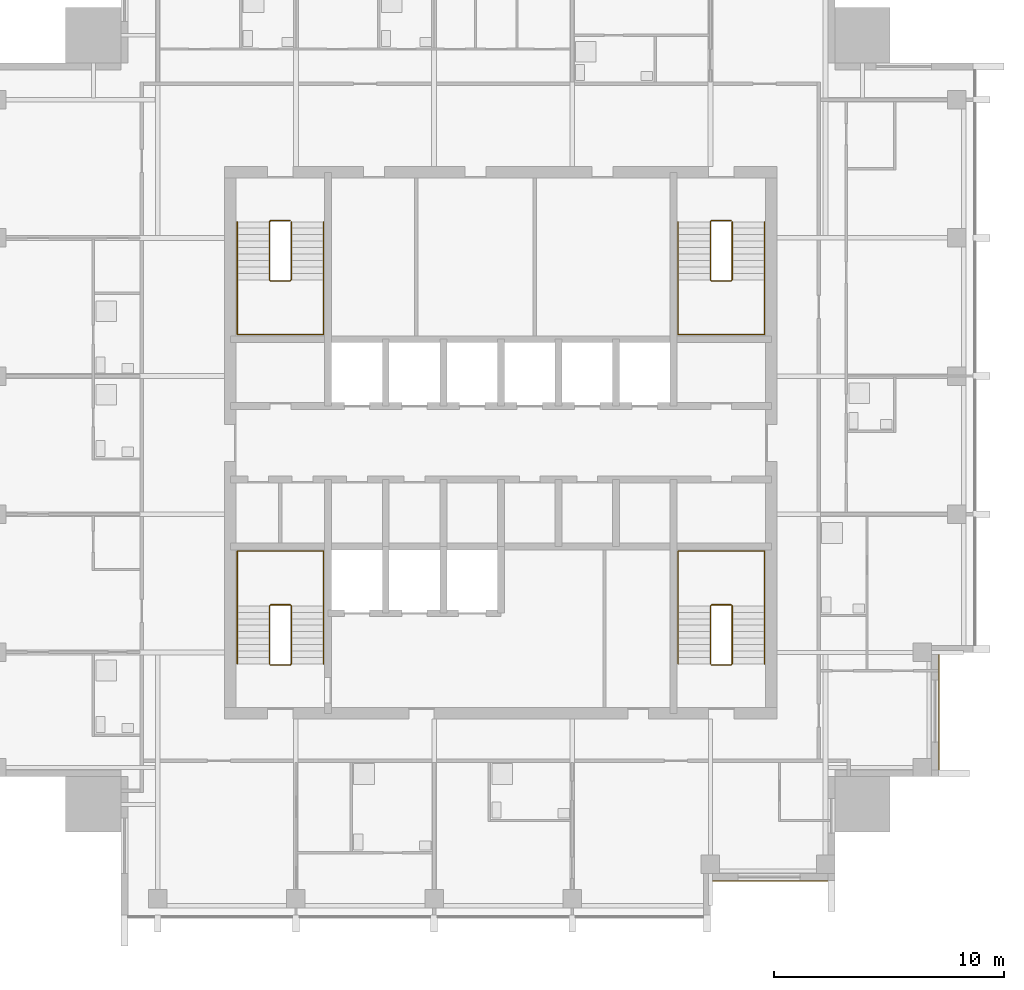
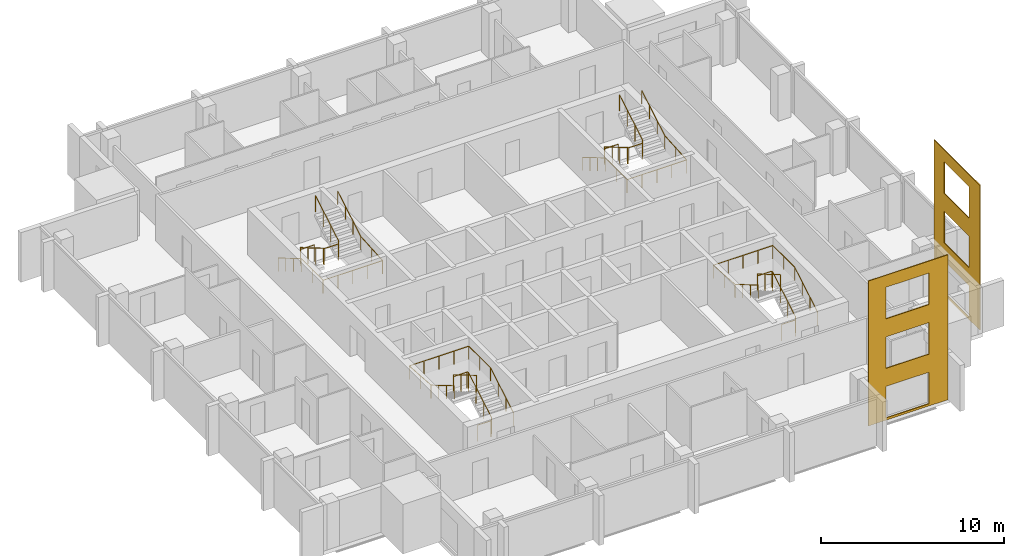
# One storey, part 8 of 9: 8 railings, 2 coverings.
"""IFC4 building model written with IfcOpenShell, lengths in metres."""

from ifc_helpers import new_model, si_unit, direction, frame, origin, origin_2d, place, context, subcontext, project, spatial, polyline, circle, outline, extrude, material, layer, layer_set, type_object, element, save


model = new_model("IFC4")

# Units and contexts
model_context = context("Model", 3, precision=1e-05, world=origin(), true_north=direction((0.0, 1.0)))
body_context = subcontext(model_context, "Body", "Model", "MODEL_VIEW")
ifc_project = project(units=[si_unit("LENGTHUNIT", "METRE"), si_unit("AREAUNIT", "SQUARE_METRE"), si_unit("VOLUMEUNIT", "CUBIC_METRE"), si_unit("PLANEANGLEUNIT", "RADIAN"), si_unit("MASSUNIT", "GRAM", prefix="KILO")], contexts=[model_context])

# Site, building, storey
site_placement = place(None, origin())
site = spatial("IfcSite", under=ifc_project, at=site_placement, CompositionType="ELEMENT")
building_placement = place(site_placement, origin())
building = spatial("IfcBuilding", under=site, at=building_placement, Name="Amberfall Residences", CompositionType="ELEMENT")
storey_placement = place(building_placement, frame((0.0, 0.0, 248.800048828125)))
storey = spatial("IfcBuildingStorey", under=building, at=storey_placement, Name="L66", CompositionType="ELEMENT", Elevation=248.800048828125)

# Coverings
ifc_material_1 = material(Name="Pale limestone cladding", Category="masonry")
ifc_layer = layer(ifc_material_1, 0.050048828125)
ifc_layer_set = layer_set([ifc_layer], Name="Limestone fascia 50")
covering_type = type_object("IfcCoveringType", Name="Limestone fascia 50", PredefinedType="CLADDING", material=ifc_layer_set)
covering_1_placement = place(storey_placement, frame((83.68994140625, 26.5, 9.64990234375), z_axis=(0.0, 1.0, 0.0), x_axis=(1.0, 0.0, 0.0)))
element("IfcCovering", 1, at=covering_1_placement, inside=storey, type_object=covering_type, Name="Pale limestone cladding L66-L68 S", PredefinedType="CLADDING", context=body_context, shape_type="SweptSolid", body=[
    extrude(outline(polyline([(0.0, 0.0), (5.010009765625, 0.0), (5.010009765625, 9.64990234375), (0.0, 9.64990234375), (0.0, 0.0)]), holes=[polyline([(1.110107421875, 7.39990234375), (3.81005859375, 7.39990234375), (3.81005859375, 9.5), (1.110107421875, 9.5), (1.110107421875, 7.39990234375)]), polyline([(1.110107421875, 4.099853515625), (3.81005859375, 4.099853515625), (3.81005859375, 6.199951171875), (1.110107421875, 6.199951171875), (1.110107421875, 4.099853515625)]), polyline([(1.110107421875, 0.800048828125), (3.81005859375, 0.800048828125), (3.81005859375, 2.89990234375), (1.110107421875, 2.89990234375), (1.110107421875, 0.800048828125)])]), origin(), (0.0, 0.0, -1.0), 0.050048828125),
])
covering_2_placement = place(storey_placement, frame((93.5, 31.300048828125, 9.64990234375), z_axis=(-1.0, 0.0, 0.0), x_axis=(0.0, 1.0, 0.0)))
element("IfcCovering", 2, at=covering_2_placement, inside=storey, type_object=covering_type, Name="Pale limestone cladding L66-L68 E", PredefinedType="CLADDING", context=body_context, shape_type="SweptSolid", body=[
    extrude(outline(polyline([(0.0, 0.0), (5.010009765625, 0.0), (5.010009765625, 9.64990234375), (0.0, 9.64990234375), (0.0, 0.0)]), holes=[polyline([(1.199951171875, 7.39990234375), (3.89990234375, 7.39990234375), (3.89990234375, 9.5), (1.199951171875, 9.5), (1.199951171875, 7.39990234375)]), polyline([(1.199951171875, 4.099853515625), (3.89990234375, 4.099853515625), (3.89990234375, 6.199951171875), (1.199951171875, 6.199951171875), (1.199951171875, 4.099853515625)]), polyline([(1.199951171875, 0.800048828125), (3.89990234375, 0.800048828125), (3.89990234375, 2.89990234375), (1.199951171875, 2.89990234375), (1.199951171875, 0.800048828125)])]), origin(), (0.0, 0.0, -1.0), 0.050048828125),
])

# Railings
ifc_material_2 = material(Name="Stainless steel 316", Category="steel")
railing_type_1 = type_object("IfcRailingType", Name="Stair guard 1100", PredefinedType="GUARDRAIL", material=ifc_material_2)
railing_1_placement = place(storey_placement, frame((64.5, 35.85009765625, 0.0)))
element("IfcRailing", 3, at=railing_1_placement, inside=storey, type_object=railing_type_1, Name="L66 stair 1 guard", PredefinedType="GUARDRAIL", context=body_context, shape_type="SweptSolid", body=[
    extrude(circle(Radius=0.02392578125, at=origin_2d()), frame((0.0, 0.0, 1.076171875), z_axis=(1.0, 0.0, 0.0), x_axis=(0.0, 1.0, 0.0)), (0.0, 0.0, 1.0), 0.85009765625),
    extrude(circle(Radius=0.02392578125, at=origin_2d()), frame((0.85009765625, 0.0, 1.076171875), z_axis=(0.27755538755, 0.27755538755, 0.919742362667), x_axis=(-0.707106781187, 0.707106781187, 0.0)), (0.0, 0.0, 1.0), 0.179443359375),
    extrude(circle(Radius=0.02392578125, at=origin_2d()), frame((0.89990234375, 0.0498046875, 1.2412109375), z_axis=(0.0, 0.861560626758, 0.507654692109), x_axis=(-1.0, 0.0, 0.0)), (0.0, 0.0, 1.0), 2.925048828125),
    extrude(circle(Radius=0.02392578125, at=origin_2d()), frame((0.89990234375, 2.56982421875, 2.72607421875), z_axis=(-0.705375805398, 0.708833529934, 0.0), x_axis=(-0.708833529934, -0.705375805398, 0.0)), (0.0, 0.0, 1.0), 0.070556640625),
    extrude(circle(Radius=0.02392578125, at=origin_2d()), frame((0.85009765625, 2.619873046875, 2.72607421875), z_axis=(-1.0, 0.0, 0.0), x_axis=(0.0, -1.0, 0.0)), (0.0, 0.0, 1.0), 0.85009765625),
    extrude(circle(Radius=0.02392578125, at=origin_2d()), frame((0.0, 2.619873046875, 2.72607421875), z_axis=(-0.278705021027, -0.278705021027, 0.919046801044), x_axis=(0.707106781187, -0.707106781187, 0.0)), (0.0, 0.0, 1.0), 0.1796875),
    extrude(circle(Radius=0.02392578125, at=origin_2d()), frame((-0.050048828125, 2.56982421875, 2.89111328125), z_axis=(0.0, -0.86152411907, 0.507716645641), x_axis=(1.0, 0.0, 0.0)), (0.0, 0.0, 1.0), 2.925048828125),
    extrude(circle(Radius=0.02099609375, at=origin_2d()), origin(), (0.0, 0.0, 1.0), 1.052001953125),
    extrude(circle(Radius=0.02099609375, at=origin_2d()), frame((0.85009765625, 0.0, 0.0)), (0.0, 0.0, 1.0), 1.052001953125),
    extrude(circle(Radius=0.02099609375, at=origin_2d()), frame((0.89990234375, 0.0498046875, 0.1650390625)), (0.0, 0.0, 1.0), 1.052001953125),
    extrude(circle(Radius=0.02099609375, at=origin_2d()), frame((0.89990234375, 0.889892578125, 0.659912109375)), (0.0, 0.0, 1.0), 1.052001953125),
    extrude(circle(Radius=0.02099609375, at=origin_2d()), frame((0.89990234375, 1.729736328125, 1.155029296875)), (0.0, 0.0, 1.0), 1.052001953125),
    extrude(circle(Radius=0.02099609375, at=origin_2d()), frame((0.89990234375, 2.56982421875, 1.64990234375)), (0.0, 0.0, 1.0), 1.052001953125),
    extrude(circle(Radius=0.02099609375, at=origin_2d()), frame((0.85009765625, 2.619873046875, 1.64990234375)), (0.0, 0.0, 1.0), 1.052001953125),
    extrude(circle(Radius=0.02099609375, at=origin_2d()), frame((0.0, 2.619873046875, 1.64990234375)), (0.0, 0.0, 1.0), 1.052001953125),
    extrude(circle(Radius=0.02099609375, at=origin_2d()), frame((-0.050048828125, 2.56982421875, 1.81494140625)), (0.0, 0.0, 1.0), 1.052001953125),
    extrude(circle(Radius=0.02099609375, at=origin_2d()), frame((-0.050048828125, 1.729736328125, 2.31005859375)), (0.0, 0.0, 1.0), 1.052001953125),
    extrude(circle(Radius=0.02099609375, at=origin_2d()), frame((-0.050048828125, 0.889892578125, 2.804931640625)), (0.0, 0.0, 1.0), 1.052001953125),
    extrude(circle(Radius=0.02099609375, at=origin_2d()), frame((-0.050048828125, 0.0498046875, 3.300048828125)), (0.0, 0.0, 1.0), 1.052001953125),
])
railing_2_placement = place(storey_placement, frame((83.64990234375, 35.85009765625, 0.0)))
element("IfcRailing", 4, at=railing_2_placement, inside=storey, type_object=railing_type_1, Name="L66 stair 2 guard", PredefinedType="GUARDRAIL", context=body_context, shape_type="SweptSolid", body=[
    extrude(circle(Radius=0.02392578125, at=origin_2d()), frame((0.0, 0.0, 1.076171875), z_axis=(1.0, 0.0, 0.0), x_axis=(0.0, 1.0, 0.0)), (0.0, 0.0, 1.0), 0.85009765625),
    extrude(circle(Radius=0.02392578125, at=origin_2d()), frame((0.85009765625, 0.0, 1.076171875), z_axis=(0.278810427259, 0.277450376394, 0.919394384522), x_axis=(-0.705375805398, 0.708833529934, 0.0)), (0.0, 0.0, 1.0), 0.179443359375),
    extrude(circle(Radius=0.02392578125, at=origin_2d()), frame((0.900146484375, 0.0498046875, 1.2412109375), z_axis=(0.0, 0.861560626758, 0.507654692109), x_axis=(-1.0, 0.0, 0.0)), (0.0, 0.0, 1.0), 2.925048828125),
    extrude(circle(Radius=0.02392578125, at=origin_2d()), frame((0.900146484375, 2.56982421875, 2.72607421875), z_axis=(-0.707106781187, 0.707106781187, 0.0), x_axis=(-0.707106781187, -0.707106781187, 0.0)), (0.0, 0.0, 1.0), 0.07080078125),
    extrude(circle(Radius=0.02392578125, at=origin_2d()), frame((0.85009765625, 2.619873046875, 2.72607421875), z_axis=(-1.0, 0.0, 0.0), x_axis=(0.0, -1.0, 0.0)), (0.0, 0.0, 1.0), 0.85009765625),
    extrude(circle(Radius=0.02392578125, at=origin_2d()), frame((0.0, 2.619873046875, 2.72607421875), z_axis=(-0.277450376394, -0.278810427259, 0.919394384522), x_axis=(0.708833529934, -0.705375805398, 0.0)), (0.0, 0.0, 1.0), 0.179443359375),
    extrude(circle(Radius=0.02392578125, at=origin_2d()), frame((-0.0498046875, 2.56982421875, 2.89111328125), z_axis=(0.0, -0.86152411907, 0.507716645641), x_axis=(1.0, 0.0, 0.0)), (0.0, 0.0, 1.0), 2.925048828125),
    extrude(circle(Radius=0.02099609375, at=origin_2d()), origin(), (0.0, 0.0, 1.0), 1.052001953125),
    extrude(circle(Radius=0.02099609375, at=origin_2d()), frame((0.85009765625, 0.0, 0.0)), (0.0, 0.0, 1.0), 1.052001953125),
    extrude(circle(Radius=0.02099609375, at=origin_2d()), frame((0.900146484375, 0.0498046875, 0.1650390625)), (0.0, 0.0, 1.0), 1.052001953125),
    extrude(circle(Radius=0.02099609375, at=origin_2d()), frame((0.900146484375, 0.889892578125, 0.659912109375)), (0.0, 0.0, 1.0), 1.052001953125),
    extrude(circle(Radius=0.02099609375, at=origin_2d()), frame((0.900146484375, 1.729736328125, 1.155029296875)), (0.0, 0.0, 1.0), 1.052001953125),
    extrude(circle(Radius=0.02099609375, at=origin_2d()), frame((0.900146484375, 2.56982421875, 1.64990234375)), (0.0, 0.0, 1.0), 1.052001953125),
    extrude(circle(Radius=0.02099609375, at=origin_2d()), frame((0.85009765625, 2.619873046875, 1.64990234375)), (0.0, 0.0, 1.0), 1.052001953125),
    extrude(circle(Radius=0.02099609375, at=origin_2d()), frame((0.0, 2.619873046875, 1.64990234375)), (0.0, 0.0, 1.0), 1.052001953125),
    extrude(circle(Radius=0.02099609375, at=origin_2d()), frame((-0.0498046875, 2.56982421875, 1.81494140625)), (0.0, 0.0, 1.0), 1.052001953125),
    extrude(circle(Radius=0.02099609375, at=origin_2d()), frame((-0.0498046875, 1.729736328125, 2.31005859375)), (0.0, 0.0, 1.0), 1.052001953125),
    extrude(circle(Radius=0.02099609375, at=origin_2d()), frame((-0.0498046875, 0.889892578125, 2.804931640625)), (0.0, 0.0, 1.0), 1.052001953125),
    extrude(circle(Radius=0.02099609375, at=origin_2d()), frame((-0.0498046875, 0.0498046875, 3.300048828125)), (0.0, 0.0, 1.0), 1.052001953125),
])
railing_3_placement = place(storey_placement, frame((84.5, 55.14990234375, 0.0)))
element("IfcRailing", 5, at=railing_3_placement, inside=storey, type_object=railing_type_1, Name="L66 stair 3 guard", PredefinedType="GUARDRAIL", context=body_context, shape_type="SweptSolid", body=[
    extrude(circle(Radius=0.02392578125, at=origin_2d()), frame((0.0, 0.0, 1.076171875), z_axis=(-1.0, 0.0, 0.0), x_axis=(0.0, -1.0, 0.0)), (0.0, 0.0, 1.0), 0.85009765625),
    extrude(circle(Radius=0.02392578125, at=origin_2d()), frame((-0.85009765625, 0.0, 1.076171875), z_axis=(-0.27755538755, -0.27755538755, 0.919742362667), x_axis=(0.707106781187, -0.707106781187, 0.0)), (0.0, 0.0, 1.0), 0.179443359375),
    extrude(circle(Radius=0.02392578125, at=origin_2d()), frame((-0.89990234375, -0.0498046875, 1.2412109375), z_axis=(0.0, -0.861560626758, 0.507654692109), x_axis=(1.0, 0.0, 0.0)), (0.0, 0.0, 1.0), 2.925048828125),
    extrude(circle(Radius=0.02392578125, at=origin_2d()), frame((-0.89990234375, -2.56982421875, 2.72607421875), z_axis=(0.705375805398, -0.708833529934, 0.0), x_axis=(0.708833529934, 0.705375805398, 0.0)), (0.0, 0.0, 1.0), 0.070556640625),
    extrude(circle(Radius=0.02392578125, at=origin_2d()), frame((-0.85009765625, -2.619873046875, 2.72607421875), z_axis=(1.0, 0.0, 0.0), x_axis=(0.0, 1.0, 0.0)), (0.0, 0.0, 1.0), 0.85009765625),
    extrude(circle(Radius=0.02392578125, at=origin_2d()), frame((0.0, -2.619873046875, 2.72607421875), z_axis=(0.278705021027, 0.278705021027, 0.919046801044), x_axis=(-0.707106781187, 0.707106781187, 0.0)), (0.0, 0.0, 1.0), 0.1796875),
    extrude(circle(Radius=0.02392578125, at=origin_2d()), frame((0.050048828125, -2.56982421875, 2.89111328125), z_axis=(0.0, 0.86152411907, 0.507716645641), x_axis=(-1.0, 0.0, 0.0)), (0.0, 0.0, 1.0), 2.925048828125),
    extrude(circle(Radius=0.02099609375, at=origin_2d()), origin(), (0.0, 0.0, 1.0), 1.052001953125),
    extrude(circle(Radius=0.02099609375, at=origin_2d()), frame((-0.85009765625, 0.0, 0.0)), (0.0, 0.0, 1.0), 1.052001953125),
    extrude(circle(Radius=0.02099609375, at=origin_2d()), frame((-0.89990234375, -0.0498046875, 0.1650390625)), (0.0, 0.0, 1.0), 1.052001953125),
    extrude(circle(Radius=0.02099609375, at=origin_2d()), frame((-0.89990234375, -0.889892578125, 0.659912109375)), (0.0, 0.0, 1.0), 1.052001953125),
    extrude(circle(Radius=0.02099609375, at=origin_2d()), frame((-0.89990234375, -1.729736328125, 1.155029296875)), (0.0, 0.0, 1.0), 1.052001953125),
    extrude(circle(Radius=0.02099609375, at=origin_2d()), frame((-0.89990234375, -2.56982421875, 1.64990234375)), (0.0, 0.0, 1.0), 1.052001953125),
    extrude(circle(Radius=0.02099609375, at=origin_2d()), frame((-0.85009765625, -2.619873046875, 1.64990234375)), (0.0, 0.0, 1.0), 1.052001953125),
    extrude(circle(Radius=0.02099609375, at=origin_2d()), frame((0.0, -2.619873046875, 1.64990234375)), (0.0, 0.0, 1.0), 1.052001953125),
    extrude(circle(Radius=0.02099609375, at=origin_2d()), frame((0.050048828125, -2.56982421875, 1.81494140625)), (0.0, 0.0, 1.0), 1.052001953125),
    extrude(circle(Radius=0.02099609375, at=origin_2d()), frame((0.050048828125, -1.729736328125, 2.31005859375)), (0.0, 0.0, 1.0), 1.052001953125),
    extrude(circle(Radius=0.02099609375, at=origin_2d()), frame((0.050048828125, -0.889892578125, 2.804931640625)), (0.0, 0.0, 1.0), 1.052001953125),
    extrude(circle(Radius=0.02099609375, at=origin_2d()), frame((0.050048828125, -0.0498046875, 3.300048828125)), (0.0, 0.0, 1.0), 1.052001953125),
])
railing_4_placement = place(storey_placement, frame((65.35009765625, 55.14990234375, 0.0)))
element("IfcRailing", 6, at=railing_4_placement, inside=storey, type_object=railing_type_1, Name="L66 stair 4 guard", PredefinedType="GUARDRAIL", context=body_context, shape_type="SweptSolid", body=[
    extrude(circle(Radius=0.02392578125, at=origin_2d()), frame((0.0, 0.0, 1.076171875), z_axis=(-1.0, 0.0, 0.0), x_axis=(0.0, -1.0, 0.0)), (0.0, 0.0, 1.0), 0.85009765625),
    extrude(circle(Radius=0.02392578125, at=origin_2d()), frame((-0.85009765625, 0.0, 1.076171875), z_axis=(-0.278810427259, -0.277450376394, 0.919394384522), x_axis=(0.705375805398, -0.708833529934, 0.0)), (0.0, 0.0, 1.0), 0.179443359375),
    extrude(circle(Radius=0.02392578125, at=origin_2d()), frame((-0.900146484375, -0.0498046875, 1.2412109375), z_axis=(0.0, -0.861560626758, 0.507654692109), x_axis=(1.0, 0.0, 0.0)), (0.0, 0.0, 1.0), 2.925048828125),
    extrude(circle(Radius=0.02392578125, at=origin_2d()), frame((-0.900146484375, -2.56982421875, 2.72607421875), z_axis=(0.707106781187, -0.707106781187, 0.0), x_axis=(0.707106781187, 0.707106781187, 0.0)), (0.0, 0.0, 1.0), 0.07080078125),
    extrude(circle(Radius=0.02392578125, at=origin_2d()), frame((-0.85009765625, -2.619873046875, 2.72607421875), z_axis=(1.0, 0.0, 0.0), x_axis=(0.0, 1.0, 0.0)), (0.0, 0.0, 1.0), 0.85009765625),
    extrude(circle(Radius=0.02392578125, at=origin_2d()), frame((0.0, -2.619873046875, 2.72607421875), z_axis=(0.277450376394, 0.278810427259, 0.919394384522), x_axis=(-0.708833529934, 0.705375805398, 0.0)), (0.0, 0.0, 1.0), 0.179443359375),
    extrude(circle(Radius=0.02392578125, at=origin_2d()), frame((0.0498046875, -2.56982421875, 2.89111328125), z_axis=(0.0, 0.86152411907, 0.507716645641), x_axis=(-1.0, 0.0, 0.0)), (0.0, 0.0, 1.0), 2.925048828125),
    extrude(circle(Radius=0.02099609375, at=origin_2d()), origin(), (0.0, 0.0, 1.0), 1.052001953125),
    extrude(circle(Radius=0.02099609375, at=origin_2d()), frame((-0.85009765625, 0.0, 0.0)), (0.0, 0.0, 1.0), 1.052001953125),
    extrude(circle(Radius=0.02099609375, at=origin_2d()), frame((-0.900146484375, -0.0498046875, 0.1650390625)), (0.0, 0.0, 1.0), 1.052001953125),
    extrude(circle(Radius=0.02099609375, at=origin_2d()), frame((-0.900146484375, -0.889892578125, 0.659912109375)), (0.0, 0.0, 1.0), 1.052001953125),
    extrude(circle(Radius=0.02099609375, at=origin_2d()), frame((-0.900146484375, -1.729736328125, 1.155029296875)), (0.0, 0.0, 1.0), 1.052001953125),
    extrude(circle(Radius=0.02099609375, at=origin_2d()), frame((-0.900146484375, -2.56982421875, 1.64990234375)), (0.0, 0.0, 1.0), 1.052001953125),
    extrude(circle(Radius=0.02099609375, at=origin_2d()), frame((-0.85009765625, -2.619873046875, 1.64990234375)), (0.0, 0.0, 1.0), 1.052001953125),
    extrude(circle(Radius=0.02099609375, at=origin_2d()), frame((0.0, -2.619873046875, 1.64990234375)), (0.0, 0.0, 1.0), 1.052001953125),
    extrude(circle(Radius=0.02099609375, at=origin_2d()), frame((0.0498046875, -2.56982421875, 1.81494140625)), (0.0, 0.0, 1.0), 1.052001953125),
    extrude(circle(Radius=0.02099609375, at=origin_2d()), frame((0.0498046875, -1.729736328125, 2.31005859375)), (0.0, 0.0, 1.0), 1.052001953125),
    extrude(circle(Radius=0.02099609375, at=origin_2d()), frame((0.0498046875, -0.889892578125, 2.804931640625)), (0.0, 0.0, 1.0), 1.052001953125),
    extrude(circle(Radius=0.02099609375, at=origin_2d()), frame((0.0498046875, -0.0498046875, 3.300048828125)), (0.0, 0.0, 1.0), 1.052001953125),
])
railing_type_2 = type_object("IfcRailingType", Name="Stair handrail 900", PredefinedType="HANDRAIL", material=ifc_material_2)
railing_5_placement = place(storey_placement, frame((66.800048828125, 35.89990234375, 0.1650390625)))
element("IfcRailing", 7, at=railing_5_placement, inside=storey, type_object=railing_type_2, Name="L66 stair 1 handrail", PredefinedType="HANDRAIL", context=body_context, shape_type="SweptSolid", body=[
    extrude(circle(Radius=0.02392578125, at=origin_2d()), frame((0.0, 0.0, 0.8759765625), z_axis=(0.0, 0.861560626758, 0.507654692109), x_axis=(-1.0, 0.0, 0.0)), (0.0, 0.0, 1.0), 2.925048828125),
    extrude(circle(Radius=0.02392578125, at=origin_2d()), frame((0.0, 2.52001953125, 2.36083984375), z_axis=(0.0, 1.0, 0.0), x_axis=(-1.0, 0.0, 0.0)), (0.0, 0.0, 1.0), 2.380126953125),
    extrude(circle(Radius=0.02392578125, at=origin_2d()), frame((0.0, 4.900146484375, 2.36083984375), z_axis=(-1.0, 0.0, 0.0), x_axis=(0.0, -1.0, 0.0)), (0.0, 0.0, 1.0), 3.75),
    extrude(circle(Radius=0.02392578125, at=origin_2d()), frame((-3.75, 4.900146484375, 2.36083984375), z_axis=(0.0, -0.997604585917, 0.069174346095), x_axis=(1.0, 0.0, 0.0)), (0.0, 0.0, 1.0), 2.3857421875),
    extrude(circle(Radius=0.02392578125, at=origin_2d()), frame((-3.75, 2.52001953125, 2.52587890625), z_axis=(0.0, -0.86152411907, 0.507716645641), x_axis=(1.0, 0.0, 0.0)), (0.0, 0.0, 1.0), 2.925048828125),
    extrude(circle(Radius=0.02099609375, at=origin_2d()), origin(), (0.0, 0.0, 1.0), 0.851806640625),
    extrude(circle(Radius=0.02099609375, at=origin_2d()), frame((0.0, 0.840087890625, 0.494873046875)), (0.0, 0.0, 1.0), 0.851806640625),
    extrude(circle(Radius=0.02099609375, at=origin_2d()), frame((0.0, 1.679931640625, 0.989990234375)), (0.0, 0.0, 1.0), 0.851806640625),
    extrude(circle(Radius=0.02099609375, at=origin_2d()), frame((0.0, 2.52001953125, 1.48486328125)), (0.0, 0.0, 1.0), 0.851806640625),
    extrude(circle(Radius=0.02099609375, at=origin_2d()), frame((0.0, 3.7099609375, 1.48486328125)), (0.0, 0.0, 1.0), 0.851806640625),
    extrude(circle(Radius=0.02099609375, at=origin_2d()), frame((0.0, 4.900146484375, 1.48486328125)), (0.0, 0.0, 1.0), 0.851806640625),
    extrude(circle(Radius=0.02099609375, at=origin_2d()), frame((-0.9375, 4.900146484375, 1.48486328125)), (0.0, 0.0, 1.0), 0.851806640625),
    extrude(circle(Radius=0.02099609375, at=origin_2d()), frame((-1.875, 4.900146484375, 1.48486328125)), (0.0, 0.0, 1.0), 0.851806640625),
    extrude(circle(Radius=0.02099609375, at=origin_2d()), frame((-2.8125, 4.900146484375, 1.48486328125)), (0.0, 0.0, 1.0), 0.851806640625),
    extrude(circle(Radius=0.02099609375, at=origin_2d()), frame((-3.75, 4.900146484375, 1.48486328125)), (0.0, 0.0, 1.0), 0.851806640625),
    extrude(circle(Radius=0.02099609375, at=origin_2d()), frame((-3.75, 3.7099609375, 1.5673828125)), (0.0, 0.0, 1.0), 0.851806640625),
    extrude(circle(Radius=0.02099609375, at=origin_2d()), frame((-3.75, 2.52001953125, 1.64990234375)), (0.0, 0.0, 1.0), 0.851806640625),
    extrude(circle(Radius=0.02099609375, at=origin_2d()), frame((-3.75, 1.679931640625, 2.14501953125)), (0.0, 0.0, 1.0), 0.851806640625),
    extrude(circle(Radius=0.02099609375, at=origin_2d()), frame((-3.75, 0.840087890625, 2.639892578125)), (0.0, 0.0, 1.0), 0.851806640625),
    extrude(circle(Radius=0.02099609375, at=origin_2d()), frame((-3.75, 0.0, 3.135009765625)), (0.0, 0.0, 1.0), 0.851806640625),
])
railing_6_placement = place(storey_placement, frame((85.949951171875, 35.89990234375, 0.1650390625)))
element("IfcRailing", 8, at=railing_6_placement, inside=storey, type_object=railing_type_2, Name="L66 stair 2 handrail", PredefinedType="HANDRAIL", context=body_context, shape_type="SweptSolid", body=[
    extrude(circle(Radius=0.02392578125, at=origin_2d()), frame((0.0, 0.0, 0.8759765625), z_axis=(0.0, 0.861560626758, 0.507654692109), x_axis=(-1.0, 0.0, 0.0)), (0.0, 0.0, 1.0), 2.925048828125),
    extrude(circle(Radius=0.02392578125, at=origin_2d()), frame((0.0, 2.52001953125, 2.36083984375), z_axis=(0.0, 1.0, 0.0), x_axis=(-1.0, 0.0, 0.0)), (0.0, 0.0, 1.0), 2.380126953125),
    extrude(circle(Radius=0.02392578125, at=origin_2d()), frame((0.0, 4.900146484375, 2.36083984375), z_axis=(-1.0, 0.0, 0.0), x_axis=(0.0, -1.0, 0.0)), (0.0, 0.0, 1.0), 3.75),
    extrude(circle(Radius=0.02392578125, at=origin_2d()), frame((-3.75, 4.900146484375, 2.36083984375), z_axis=(0.0, -0.997604585917, 0.069174346095), x_axis=(1.0, 0.0, 0.0)), (0.0, 0.0, 1.0), 2.3857421875),
    extrude(circle(Radius=0.02392578125, at=origin_2d()), frame((-3.75, 2.52001953125, 2.52587890625), z_axis=(0.0, -0.86152411907, 0.507716645641), x_axis=(1.0, 0.0, 0.0)), (0.0, 0.0, 1.0), 2.925048828125),
    extrude(circle(Radius=0.02099609375, at=origin_2d()), origin(), (0.0, 0.0, 1.0), 0.851806640625),
    extrude(circle(Radius=0.02099609375, at=origin_2d()), frame((0.0, 0.840087890625, 0.494873046875)), (0.0, 0.0, 1.0), 0.851806640625),
    extrude(circle(Radius=0.02099609375, at=origin_2d()), frame((0.0, 1.679931640625, 0.989990234375)), (0.0, 0.0, 1.0), 0.851806640625),
    extrude(circle(Radius=0.02099609375, at=origin_2d()), frame((0.0, 2.52001953125, 1.48486328125)), (0.0, 0.0, 1.0), 0.851806640625),
    extrude(circle(Radius=0.02099609375, at=origin_2d()), frame((0.0, 3.7099609375, 1.48486328125)), (0.0, 0.0, 1.0), 0.851806640625),
    extrude(circle(Radius=0.02099609375, at=origin_2d()), frame((0.0, 4.900146484375, 1.48486328125)), (0.0, 0.0, 1.0), 0.851806640625),
    extrude(circle(Radius=0.02099609375, at=origin_2d()), frame((-0.9375, 4.900146484375, 1.48486328125)), (0.0, 0.0, 1.0), 0.851806640625),
    extrude(circle(Radius=0.02099609375, at=origin_2d()), frame((-1.875, 4.900146484375, 1.48486328125)), (0.0, 0.0, 1.0), 0.851806640625),
    extrude(circle(Radius=0.02099609375, at=origin_2d()), frame((-2.8125, 4.900146484375, 1.48486328125)), (0.0, 0.0, 1.0), 0.851806640625),
    extrude(circle(Radius=0.02099609375, at=origin_2d()), frame((-3.75, 4.900146484375, 1.48486328125)), (0.0, 0.0, 1.0), 0.851806640625),
    extrude(circle(Radius=0.02099609375, at=origin_2d()), frame((-3.75, 3.7099609375, 1.5673828125)), (0.0, 0.0, 1.0), 0.851806640625),
    extrude(circle(Radius=0.02099609375, at=origin_2d()), frame((-3.75, 2.52001953125, 1.64990234375)), (0.0, 0.0, 1.0), 0.851806640625),
    extrude(circle(Radius=0.02099609375, at=origin_2d()), frame((-3.75, 1.679931640625, 2.14501953125)), (0.0, 0.0, 1.0), 0.851806640625),
    extrude(circle(Radius=0.02099609375, at=origin_2d()), frame((-3.75, 0.840087890625, 2.639892578125)), (0.0, 0.0, 1.0), 0.851806640625),
    extrude(circle(Radius=0.02099609375, at=origin_2d()), frame((-3.75, 0.0, 3.135009765625)), (0.0, 0.0, 1.0), 0.851806640625),
])
railing_7_placement = place(storey_placement, frame((82.199951171875, 55.10009765625, 0.1650390625)))
element("IfcRailing", 9, at=railing_7_placement, inside=storey, type_object=railing_type_2, Name="L66 stair 3 handrail", PredefinedType="HANDRAIL", context=body_context, shape_type="SweptSolid", body=[
    extrude(circle(Radius=0.02392578125, at=origin_2d()), frame((0.0, 0.0, 0.8759765625), z_axis=(0.0, -0.861560626758, 0.507654692109), x_axis=(1.0, 0.0, 0.0)), (0.0, 0.0, 1.0), 2.925048828125),
    extrude(circle(Radius=0.02392578125, at=origin_2d()), frame((0.0, -2.52001953125, 2.36083984375), z_axis=(0.0, -1.0, 0.0), x_axis=(1.0, 0.0, 0.0)), (0.0, 0.0, 1.0), 2.380126953125),
    extrude(circle(Radius=0.02392578125, at=origin_2d()), frame((0.0, -4.900146484375, 2.36083984375), z_axis=(1.0, 0.0, 0.0), x_axis=(0.0, 1.0, 0.0)), (0.0, 0.0, 1.0), 3.75),
    extrude(circle(Radius=0.02392578125, at=origin_2d()), frame((3.75, -4.900146484375, 2.36083984375), z_axis=(0.0, 0.997604585917, 0.069174346095), x_axis=(-1.0, 0.0, 0.0)), (0.0, 0.0, 1.0), 2.3857421875),
    extrude(circle(Radius=0.02392578125, at=origin_2d()), frame((3.75, -2.52001953125, 2.52587890625), z_axis=(0.0, 0.86152411907, 0.507716645641), x_axis=(-1.0, 0.0, 0.0)), (0.0, 0.0, 1.0), 2.925048828125),
    extrude(circle(Radius=0.02099609375, at=origin_2d()), origin(), (0.0, 0.0, 1.0), 0.851806640625),
    extrude(circle(Radius=0.02099609375, at=origin_2d()), frame((0.0, -0.840087890625, 0.494873046875)), (0.0, 0.0, 1.0), 0.851806640625),
    extrude(circle(Radius=0.02099609375, at=origin_2d()), frame((0.0, -1.679931640625, 0.989990234375)), (0.0, 0.0, 1.0), 0.851806640625),
    extrude(circle(Radius=0.02099609375, at=origin_2d()), frame((0.0, -2.52001953125, 1.48486328125)), (0.0, 0.0, 1.0), 0.851806640625),
    extrude(circle(Radius=0.02099609375, at=origin_2d()), frame((0.0, -3.7099609375, 1.48486328125)), (0.0, 0.0, 1.0), 0.851806640625),
    extrude(circle(Radius=0.02099609375, at=origin_2d()), frame((0.0, -4.900146484375, 1.48486328125)), (0.0, 0.0, 1.0), 0.851806640625),
    extrude(circle(Radius=0.02099609375, at=origin_2d()), frame((0.9375, -4.900146484375, 1.48486328125)), (0.0, 0.0, 1.0), 0.851806640625),
    extrude(circle(Radius=0.02099609375, at=origin_2d()), frame((1.875, -4.900146484375, 1.48486328125)), (0.0, 0.0, 1.0), 0.851806640625),
    extrude(circle(Radius=0.02099609375, at=origin_2d()), frame((2.8125, -4.900146484375, 1.48486328125)), (0.0, 0.0, 1.0), 0.851806640625),
    extrude(circle(Radius=0.02099609375, at=origin_2d()), frame((3.75, -4.900146484375, 1.48486328125)), (0.0, 0.0, 1.0), 0.851806640625),
    extrude(circle(Radius=0.02099609375, at=origin_2d()), frame((3.75, -3.7099609375, 1.5673828125)), (0.0, 0.0, 1.0), 0.851806640625),
    extrude(circle(Radius=0.02099609375, at=origin_2d()), frame((3.75, -2.52001953125, 1.64990234375)), (0.0, 0.0, 1.0), 0.851806640625),
    extrude(circle(Radius=0.02099609375, at=origin_2d()), frame((3.75, -1.679931640625, 2.14501953125)), (0.0, 0.0, 1.0), 0.851806640625),
    extrude(circle(Radius=0.02099609375, at=origin_2d()), frame((3.75, -0.840087890625, 2.639892578125)), (0.0, 0.0, 1.0), 0.851806640625),
    extrude(circle(Radius=0.02099609375, at=origin_2d()), frame((3.75, 0.0, 3.135009765625)), (0.0, 0.0, 1.0), 0.851806640625),
])
railing_8_placement = place(storey_placement, frame((63.050048828125, 55.10009765625, 0.1650390625)))
element("IfcRailing", 10, at=railing_8_placement, inside=storey, type_object=railing_type_2, Name="L66 stair 4 handrail", PredefinedType="HANDRAIL", context=body_context, shape_type="SweptSolid", body=[
    extrude(circle(Radius=0.02392578125, at=origin_2d()), frame((0.0, 0.0, 0.8759765625), z_axis=(0.0, -0.861560626758, 0.507654692109), x_axis=(1.0, 0.0, 0.0)), (0.0, 0.0, 1.0), 2.925048828125),
    extrude(circle(Radius=0.02392578125, at=origin_2d()), frame((0.0, -2.52001953125, 2.36083984375), z_axis=(0.0, -1.0, 0.0), x_axis=(1.0, 0.0, 0.0)), (0.0, 0.0, 1.0), 2.380126953125),
    extrude(circle(Radius=0.02392578125, at=origin_2d()), frame((0.0, -4.900146484375, 2.36083984375), z_axis=(1.0, 0.0, 0.0), x_axis=(0.0, 1.0, 0.0)), (0.0, 0.0, 1.0), 3.75),
    extrude(circle(Radius=0.02392578125, at=origin_2d()), frame((3.75, -4.900146484375, 2.36083984375), z_axis=(0.0, 0.997604585917, 0.069174346095), x_axis=(-1.0, 0.0, 0.0)), (0.0, 0.0, 1.0), 2.3857421875),
    extrude(circle(Radius=0.02392578125, at=origin_2d()), frame((3.75, -2.52001953125, 2.52587890625), z_axis=(0.0, 0.86152411907, 0.507716645641), x_axis=(-1.0, 0.0, 0.0)), (0.0, 0.0, 1.0), 2.925048828125),
    extrude(circle(Radius=0.02099609375, at=origin_2d()), origin(), (0.0, 0.0, 1.0), 0.851806640625),
    extrude(circle(Radius=0.02099609375, at=origin_2d()), frame((0.0, -0.840087890625, 0.494873046875)), (0.0, 0.0, 1.0), 0.851806640625),
    extrude(circle(Radius=0.02099609375, at=origin_2d()), frame((0.0, -1.679931640625, 0.989990234375)), (0.0, 0.0, 1.0), 0.851806640625),
    extrude(circle(Radius=0.02099609375, at=origin_2d()), frame((0.0, -2.52001953125, 1.48486328125)), (0.0, 0.0, 1.0), 0.851806640625),
    extrude(circle(Radius=0.02099609375, at=origin_2d()), frame((0.0, -3.7099609375, 1.48486328125)), (0.0, 0.0, 1.0), 0.851806640625),
    extrude(circle(Radius=0.02099609375, at=origin_2d()), frame((0.0, -4.900146484375, 1.48486328125)), (0.0, 0.0, 1.0), 0.851806640625),
    extrude(circle(Radius=0.02099609375, at=origin_2d()), frame((0.9375, -4.900146484375, 1.48486328125)), (0.0, 0.0, 1.0), 0.851806640625),
    extrude(circle(Radius=0.02099609375, at=origin_2d()), frame((1.875, -4.900146484375, 1.48486328125)), (0.0, 0.0, 1.0), 0.851806640625),
    extrude(circle(Radius=0.02099609375, at=origin_2d()), frame((2.8125, -4.900146484375, 1.48486328125)), (0.0, 0.0, 1.0), 0.851806640625),
    extrude(circle(Radius=0.02099609375, at=origin_2d()), frame((3.75, -4.900146484375, 1.48486328125)), (0.0, 0.0, 1.0), 0.851806640625),
    extrude(circle(Radius=0.02099609375, at=origin_2d()), frame((3.75, -3.7099609375, 1.5673828125)), (0.0, 0.0, 1.0), 0.851806640625),
    extrude(circle(Radius=0.02099609375, at=origin_2d()), frame((3.75, -2.52001953125, 1.64990234375)), (0.0, 0.0, 1.0), 0.851806640625),
    extrude(circle(Radius=0.02099609375, at=origin_2d()), frame((3.75, -1.679931640625, 2.14501953125)), (0.0, 0.0, 1.0), 0.851806640625),
    extrude(circle(Radius=0.02099609375, at=origin_2d()), frame((3.75, -0.840087890625, 2.639892578125)), (0.0, 0.0, 1.0), 0.851806640625),
    extrude(circle(Radius=0.02099609375, at=origin_2d()), frame((3.75, 0.0, 3.135009765625)), (0.0, 0.0, 1.0), 0.851806640625),
])

save(model, "model.ifc")
